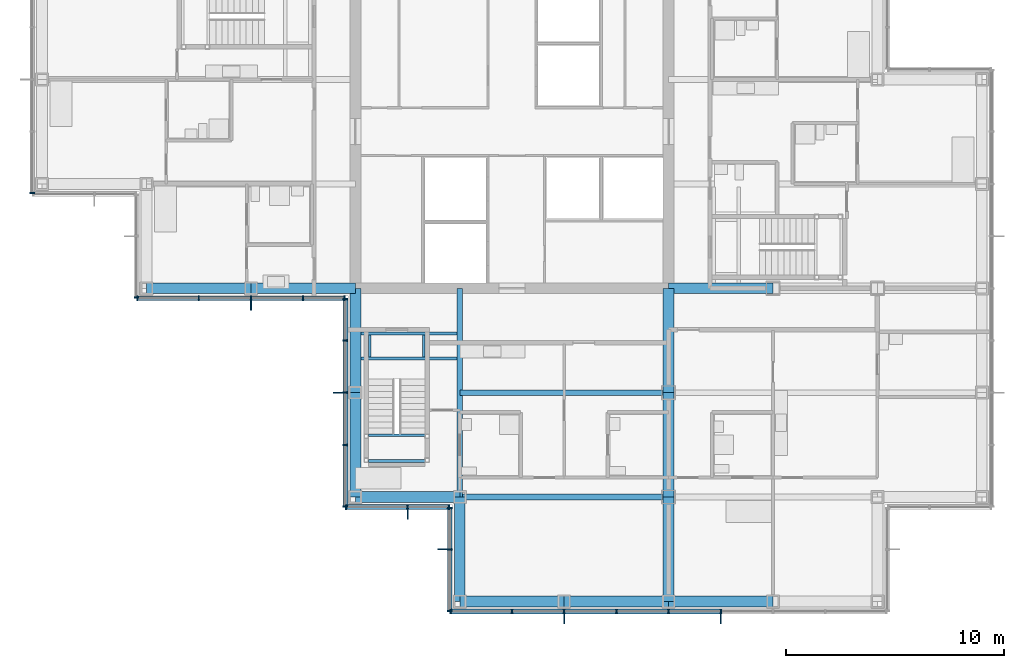
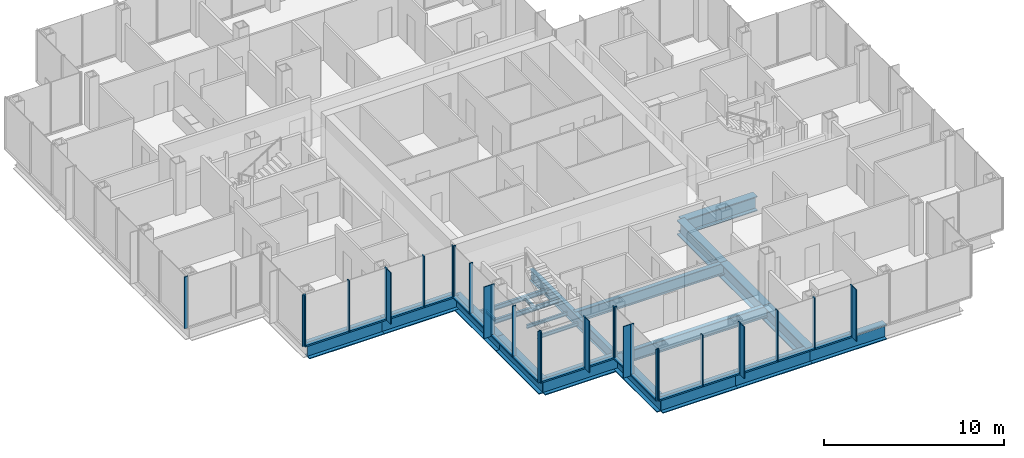
# One storey, part 6 of 19: 47 members, 22 beams, 7 elements without a shape of their own.
"""IFC4 building model written with IfcOpenShell, lengths in metres."""

from ifc_helpers import new_model, si_unit, direction, frame, origin, origin_2d, place, context, subcontext, project, spatial, rectangle, i_section, extrude, material, material_profile, profile_set, type_object, element, aggregate, save


model = new_model("IFC4")

# Units and contexts
model_context = context("Model", 3, precision=1e-05, world=origin(), true_north=direction((0.0, 1.0)))
body_context = subcontext(model_context, "Body", "Model", "MODEL_VIEW")
ifc_project = project(units=[si_unit("LENGTHUNIT", "METRE"), si_unit("AREAUNIT", "SQUARE_METRE"), si_unit("VOLUMEUNIT", "CUBIC_METRE"), si_unit("PLANEANGLEUNIT", "RADIAN"), si_unit("MASSUNIT", "GRAM", prefix="KILO")], contexts=[model_context])

# Site, building, storey
site_placement = place(None, origin())
site = spatial("IfcSite", under=ifc_project, at=site_placement, CompositionType="ELEMENT")
building_placement = place(site_placement, origin())
building = spatial("IfcBuilding", under=site, at=building_placement, Name="Kvirike Care Tower", CompositionType="ELEMENT")
storey_placement = place(building_placement, frame((0.0, 0.0, 129.5)))
storey = spatial("IfcBuildingStorey", under=building, at=storey_placement, Name="L35", CompositionType="ELEMENT", Elevation=129.5)

# Curtain wall, member
ifc_material_1 = material(Name="Anodised aluminium stick system", Category="aluminium")
curtain_wall_type = type_object("IfcCurtainWallType", Name="CW-B STICK CURTAIN WALL", PredefinedType="NOTDEFINED", material=ifc_material_1)
curtain_wall_1_placement = place(storey_placement, origin())
curtain_wall_1 = element("IfcCurtainWall", 1, at=curtain_wall_1_placement, inside=storey, type_object=curtain_wall_type, Name="Curtain wall L35 face 14", PredefinedType="NOTDEFINED")
ifc_material_2 = material(Name="Bronze anodised aluminium fin", Category="aluminium")
ifc_material_profile_1 = material_profile(ifc_material_2, rectangle(XDim=0.050048828125, YDim=0.449951171875, at=origin_2d()), Name="BRONZE FIN 450")
ifc_profile_set_1 = profile_set([ifc_material_profile_1], Name="Bronze anodised aluminium fin")
member_type_1 = type_object("IfcMemberType", Name="BRONZE FIN 450", PredefinedType="USERDEFINED", material=ifc_profile_set_1)
member_1_placement = place(storey_placement, frame((9.60009765625, 28.0048828125, 0.0), z_axis=(0.0, 0.0, 1.0), x_axis=(1.0, 0.0, 0.0)))
member_1 = element("IfcMember", 2, at=member_1_placement, type_object=member_type_1, Name="Bronze fin L35 face 14.3", ObjectType="FIN", PredefinedType="USERDEFINED", context=body_context, shape_type="SweptSolid", body=[
    extrude(rectangle(XDim=0.050048828125, YDim=0.449951171875, at=origin_2d()), origin(), (0.0, 0.0, 1.0), 3.5),
])

curtain_wall_2_placement = place(storey_placement, origin())
curtain_wall_2 = element("IfcCurtainWall", 3, at=curtain_wall_2_placement, inside=storey, type_object=curtain_wall_type, Name="Curtain wall L35 face 15", PredefinedType="NOTDEFINED")
member_2_placement = place(storey_placement, frame((13.60498046875, 24.0, 0.0), z_axis=(0.0, 0.0, 1.0), x_axis=(0.0, -1.0, 0.0)))
member_2 = element("IfcMember", 4, at=member_2_placement, type_object=member_type_1, Name="Bronze fin L35 face 15.3", ObjectType="FIN", PredefinedType="USERDEFINED", context=body_context, shape_type="SweptSolid", body=[
    extrude(rectangle(XDim=0.050048828125, YDim=0.449951171875, at=origin_2d()), origin(), (0.0, 0.0, 1.0), 3.5),
])

curtain_wall_3_placement = place(storey_placement, origin())
curtain_wall_3 = element("IfcCurtainWall", 5, at=curtain_wall_3_placement, inside=storey, type_object=curtain_wall_type, Name="Curtain wall L35 face 16", PredefinedType="NOTDEFINED")
member_3_placement = place(storey_placement, frame((16.800048828125, 18.405029296875, 0.0), z_axis=(0.0, 0.0, 1.0), x_axis=(1.0, 0.0, 0.0)))
member_3 = element("IfcMember", 6, at=member_3_placement, type_object=member_type_1, Name="Bronze fin L35 face 16.2", ObjectType="FIN", PredefinedType="USERDEFINED", context=body_context, shape_type="SweptSolid", body=[
    extrude(rectangle(XDim=0.050048828125, YDim=0.449951171875, at=origin_2d()), origin(), (0.0, 0.0, 1.0), 3.5),
])

curtain_wall_4_placement = place(storey_placement, origin())
curtain_wall_4 = element("IfcCurtainWall", 7, at=curtain_wall_4_placement, inside=storey, type_object=curtain_wall_type, Name="Curtain wall L35 face 17", PredefinedType="NOTDEFINED")
member_4_placement = place(storey_placement, frame((18.405029296875, 16.800048828125, 0.0), z_axis=(0.0, 0.0, 1.0), x_axis=(0.0, -1.0, 0.0)))
member_4 = element("IfcMember", 8, at=member_4_placement, type_object=member_type_1, Name="Bronze fin L35 face 17.2", ObjectType="FIN", PredefinedType="USERDEFINED", context=body_context, shape_type="SweptSolid", body=[
    extrude(rectangle(XDim=0.050048828125, YDim=0.449951171875, at=origin_2d()), origin(), (0.0, 0.0, 1.0), 3.5),
])

# Curtain wall, members
curtain_wall_5_placement = place(storey_placement, origin())
curtain_wall_5 = element("IfcCurtainWall", 9, at=curtain_wall_5_placement, inside=storey, type_object=curtain_wall_type, Name="Curtain wall L35 face 18", PredefinedType="NOTDEFINED")
member_5_placement = place(storey_placement, frame((24.0, 13.60498046875, 0.0), z_axis=(0.0, 0.0, 1.0), x_axis=(1.0, 0.0, 0.0)))
member_5 = element("IfcMember", 10, at=member_5_placement, type_object=member_type_1, Name="Bronze fin L35 face 18.3", ObjectType="FIN", PredefinedType="USERDEFINED", context=body_context, shape_type="SweptSolid", body=[
    extrude(rectangle(XDim=0.050048828125, YDim=0.449951171875, at=origin_2d()), origin(), (0.0, 0.0, 1.0), 3.5),
])
member_6_placement = place(storey_placement, frame((31.199951171875, 13.60498046875, 0.0), z_axis=(0.0, 0.0, 1.0), x_axis=(1.0, 0.0, 0.0)))
member_6 = element("IfcMember", 11, at=member_6_placement, type_object=member_type_1, Name="Bronze fin L35 face 18.6", ObjectType="FIN", PredefinedType="USERDEFINED", context=body_context, shape_type="SweptSolid", body=[
    extrude(rectangle(XDim=0.050048828125, YDim=0.449951171875, at=origin_2d()), origin(), (0.0, 0.0, 1.0), 3.5),
])

# Curtain wall, member
curtain_wall_6_placement = place(storey_placement, origin())
curtain_wall_6 = element("IfcCurtainWall", 12, at=curtain_wall_6_placement, inside=storey, type_object=curtain_wall_type, Name="Curtain wall L35 face 11", PredefinedType="NOTDEFINED")
ifc_material_3 = material(Name="Bronze anodised aluminium mullion", Category="aluminium")
ifc_material_profile_2 = material_profile(ifc_material_3, rectangle(XDim=0.06494140625, YDim=0.219970703125, at=origin_2d()), Name="CW-B MULLION 65x220")
ifc_profile_set_2 = profile_set([ifc_material_profile_2], Name="Bronze anodised aluminium mullion")
member_type_2 = type_object("IfcMemberType", Name="CW-B MULLION 65x220", PredefinedType="MULLION", material=ifc_profile_set_2)
member_7_placement = place(storey_placement, frame((-0.4599609375, 33.172607421875, 0.0), z_axis=(0.0, 0.0, 1.0), x_axis=(0.0, -1.0, 0.0)))
member_7 = element("IfcMember", 13, at=member_7_placement, type_object=member_type_2, Name="CW-B mullion L35 face 11.9", PredefinedType="MULLION", context=body_context, shape_type="SweptSolid", body=[
    extrude(rectangle(XDim=0.06494140625, YDim=0.219970703125, at=origin_2d()), origin(), (0.0, 0.0, 1.0), 3.5),
])
aggregate(curtain_wall_6, [member_7])

curtain_wall_7_placement = place(storey_placement, origin())
curtain_wall_7 = element("IfcCurtainWall", 14, at=curtain_wall_7_placement, inside=storey, type_object=curtain_wall_type, Name="Curtain wall L35 face 13", PredefinedType="NOTDEFINED")
member_8_placement = place(storey_placement, frame((4.340087890625, 28.37255859375, 0.0), z_axis=(0.0, 0.0, 1.0), x_axis=(0.0, -1.0, 0.0)))
member_8 = element("IfcMember", 15, at=member_8_placement, type_object=member_type_2, Name="CW-B mullion L35 face 13.3", PredefinedType="MULLION", context=body_context, shape_type="SweptSolid", body=[
    extrude(rectangle(XDim=0.06494140625, YDim=0.219970703125, at=origin_2d()), origin(), (0.0, 0.0, 1.0), 3.5),
])
aggregate(curtain_wall_7, [member_8])

# Member
member_9_placement = place(storey_placement, frame((4.37255859375, 28.340087890625, 0.0), z_axis=(0.0, 0.0, 1.0), x_axis=(1.0, 0.0, 0.0)))
member_9 = element("IfcMember", 16, at=member_9_placement, type_object=member_type_2, Name="CW-B mullion L35 face 14.1", PredefinedType="MULLION", context=body_context, shape_type="SweptSolid", body=[
    extrude(rectangle(XDim=0.06494140625, YDim=0.219970703125, at=origin_2d()), origin(), (0.0, 0.0, 1.0), 3.5),
])

member_10_placement = place(storey_placement, frame((7.199951171875, 28.340087890625, 0.0), z_axis=(0.0, 0.0, 1.0), x_axis=(1.0, 0.0, 0.0)))
member_10 = element("IfcMember", 17, at=member_10_placement, type_object=member_type_2, Name="CW-B mullion L35 face 14.2", PredefinedType="MULLION", context=body_context, shape_type="SweptSolid", body=[
    extrude(rectangle(XDim=0.06494140625, YDim=0.219970703125, at=origin_2d()), origin(), (0.0, 0.0, 1.0), 3.5),
])

member_11_placement = place(storey_placement, frame((9.60009765625, 28.340087890625, 0.0), z_axis=(0.0, 0.0, 1.0), x_axis=(1.0, 0.0, 0.0)))
member_11 = element("IfcMember", 18, at=member_11_placement, type_object=member_type_2, Name="CW-B mullion L35 face 14.3", PredefinedType="MULLION", context=body_context, shape_type="SweptSolid", body=[
    extrude(rectangle(XDim=0.06494140625, YDim=0.219970703125, at=origin_2d()), origin(), (0.0, 0.0, 1.0), 3.5),
])

member_12_placement = place(storey_placement, frame((12.0, 28.340087890625, 0.0), z_axis=(0.0, 0.0, 1.0), x_axis=(1.0, 0.0, 0.0)))
member_12 = element("IfcMember", 19, at=member_12_placement, type_object=member_type_2, Name="CW-B mullion L35 face 14.4", PredefinedType="MULLION", context=body_context, shape_type="SweptSolid", body=[
    extrude(rectangle(XDim=0.06494140625, YDim=0.219970703125, at=origin_2d()), origin(), (0.0, 0.0, 1.0), 3.5),
])

member_13_placement = place(storey_placement, frame((13.907470703125, 28.340087890625, 0.0), z_axis=(0.0, 0.0, 1.0), x_axis=(1.0, 0.0, 0.0)))
member_13 = element("IfcMember", 20, at=member_13_placement, type_object=member_type_2, Name="CW-B mullion L35 face 14.5", PredefinedType="MULLION", context=body_context, shape_type="SweptSolid", body=[
    extrude(rectangle(XDim=0.06494140625, YDim=0.219970703125, at=origin_2d()), origin(), (0.0, 0.0, 1.0), 3.5),
])

member_14_placement = place(storey_placement, frame((13.93994140625, 28.3076171875, 0.0), z_axis=(0.0, 0.0, 1.0), x_axis=(0.0, -1.0, 0.0)))
member_14 = element("IfcMember", 21, at=member_14_placement, type_object=member_type_2, Name="CW-B mullion L35 face 15.1", PredefinedType="MULLION", context=body_context, shape_type="SweptSolid", body=[
    extrude(rectangle(XDim=0.06494140625, YDim=0.219970703125, at=origin_2d()), origin(), (0.0, 0.0, 1.0), 3.5),
])

member_15_placement = place(storey_placement, frame((13.93994140625, 26.39990234375, 0.0), z_axis=(0.0, 0.0, 1.0), x_axis=(0.0, -1.0, 0.0)))
member_15 = element("IfcMember", 22, at=member_15_placement, type_object=member_type_2, Name="CW-B mullion L35 face 15.2", PredefinedType="MULLION", context=body_context, shape_type="SweptSolid", body=[
    extrude(rectangle(XDim=0.06494140625, YDim=0.219970703125, at=origin_2d()), origin(), (0.0, 0.0, 1.0), 3.5),
])

member_16_placement = place(storey_placement, frame((13.93994140625, 24.0, 0.0), z_axis=(0.0, 0.0, 1.0), x_axis=(0.0, -1.0, 0.0)))
member_16 = element("IfcMember", 23, at=member_16_placement, type_object=member_type_2, Name="CW-B mullion L35 face 15.3", PredefinedType="MULLION", context=body_context, shape_type="SweptSolid", body=[
    extrude(rectangle(XDim=0.06494140625, YDim=0.219970703125, at=origin_2d()), origin(), (0.0, 0.0, 1.0), 3.5),
])

member_17_placement = place(storey_placement, frame((13.93994140625, 21.60009765625, 0.0), z_axis=(0.0, 0.0, 1.0), x_axis=(0.0, -1.0, 0.0)))
member_17 = element("IfcMember", 24, at=member_17_placement, type_object=member_type_2, Name="CW-B mullion L35 face 15.4", PredefinedType="MULLION", context=body_context, shape_type="SweptSolid", body=[
    extrude(rectangle(XDim=0.06494140625, YDim=0.219970703125, at=origin_2d()), origin(), (0.0, 0.0, 1.0), 3.5),
])

member_18_placement = place(storey_placement, frame((13.93994140625, 18.7724609375, 0.0), z_axis=(0.0, 0.0, 1.0), x_axis=(0.0, -1.0, 0.0)))
member_18 = element("IfcMember", 25, at=member_18_placement, type_object=member_type_2, Name="CW-B mullion L35 face 15.5", PredefinedType="MULLION", context=body_context, shape_type="SweptSolid", body=[
    extrude(rectangle(XDim=0.06494140625, YDim=0.219970703125, at=origin_2d()), origin(), (0.0, 0.0, 1.0), 3.5),
])

member_19_placement = place(storey_placement, frame((13.972412109375, 18.739990234375, 0.0), z_axis=(0.0, 0.0, 1.0), x_axis=(1.0, 0.0, 0.0)))
member_19 = element("IfcMember", 26, at=member_19_placement, type_object=member_type_2, Name="CW-B mullion L35 face 16.1", PredefinedType="MULLION", context=body_context, shape_type="SweptSolid", body=[
    extrude(rectangle(XDim=0.06494140625, YDim=0.219970703125, at=origin_2d()), origin(), (0.0, 0.0, 1.0), 3.5),
])

member_20_placement = place(storey_placement, frame((16.800048828125, 18.739990234375, 0.0), z_axis=(0.0, 0.0, 1.0), x_axis=(1.0, 0.0, 0.0)))
member_20 = element("IfcMember", 27, at=member_20_placement, type_object=member_type_2, Name="CW-B mullion L35 face 16.2", PredefinedType="MULLION", context=body_context, shape_type="SweptSolid", body=[
    extrude(rectangle(XDim=0.06494140625, YDim=0.219970703125, at=origin_2d()), origin(), (0.0, 0.0, 1.0), 3.5),
])

member_21_placement = place(storey_placement, frame((18.70751953125, 18.739990234375, 0.0), z_axis=(0.0, 0.0, 1.0), x_axis=(1.0, 0.0, 0.0)))
member_21 = element("IfcMember", 28, at=member_21_placement, type_object=member_type_2, Name="CW-B mullion L35 face 16.3", PredefinedType="MULLION", context=body_context, shape_type="SweptSolid", body=[
    extrude(rectangle(XDim=0.06494140625, YDim=0.219970703125, at=origin_2d()), origin(), (0.0, 0.0, 1.0), 3.5),
])

member_22_placement = place(storey_placement, frame((18.739990234375, 18.70751953125, 0.0), z_axis=(0.0, 0.0, 1.0), x_axis=(0.0, -1.0, 0.0)))
member_22 = element("IfcMember", 29, at=member_22_placement, type_object=member_type_2, Name="CW-B mullion L35 face 17.1", PredefinedType="MULLION", context=body_context, shape_type="SweptSolid", body=[
    extrude(rectangle(XDim=0.06494140625, YDim=0.219970703125, at=origin_2d()), origin(), (0.0, 0.0, 1.0), 3.5),
])

member_23_placement = place(storey_placement, frame((18.739990234375, 16.800048828125, 0.0), z_axis=(0.0, 0.0, 1.0), x_axis=(0.0, -1.0, 0.0)))
member_23 = element("IfcMember", 30, at=member_23_placement, type_object=member_type_2, Name="CW-B mullion L35 face 17.2", PredefinedType="MULLION", context=body_context, shape_type="SweptSolid", body=[
    extrude(rectangle(XDim=0.06494140625, YDim=0.219970703125, at=origin_2d()), origin(), (0.0, 0.0, 1.0), 3.5),
])

member_24_placement = place(storey_placement, frame((18.739990234375, 13.972412109375, 0.0), z_axis=(0.0, 0.0, 1.0), x_axis=(0.0, -1.0, 0.0)))
member_24 = element("IfcMember", 31, at=member_24_placement, type_object=member_type_2, Name="CW-B mullion L35 face 17.3", PredefinedType="MULLION", context=body_context, shape_type="SweptSolid", body=[
    extrude(rectangle(XDim=0.06494140625, YDim=0.219970703125, at=origin_2d()), origin(), (0.0, 0.0, 1.0), 3.5),
])

member_25_placement = place(storey_placement, frame((18.7724609375, 13.93994140625, 0.0), z_axis=(0.0, 0.0, 1.0), x_axis=(1.0, 0.0, 0.0)))
member_25 = element("IfcMember", 32, at=member_25_placement, type_object=member_type_2, Name="CW-B mullion L35 face 18.1", PredefinedType="MULLION", context=body_context, shape_type="SweptSolid", body=[
    extrude(rectangle(XDim=0.06494140625, YDim=0.219970703125, at=origin_2d()), origin(), (0.0, 0.0, 1.0), 3.5),
])

member_26_placement = place(storey_placement, frame((21.60009765625, 13.93994140625, 0.0), z_axis=(0.0, 0.0, 1.0), x_axis=(1.0, 0.0, 0.0)))
member_26 = element("IfcMember", 33, at=member_26_placement, type_object=member_type_2, Name="CW-B mullion L35 face 18.2", PredefinedType="MULLION", context=body_context, shape_type="SweptSolid", body=[
    extrude(rectangle(XDim=0.06494140625, YDim=0.219970703125, at=origin_2d()), origin(), (0.0, 0.0, 1.0), 3.5),
])

member_27_placement = place(storey_placement, frame((24.0, 13.93994140625, 0.0), z_axis=(0.0, 0.0, 1.0), x_axis=(1.0, 0.0, 0.0)))
member_27 = element("IfcMember", 34, at=member_27_placement, type_object=member_type_2, Name="CW-B mullion L35 face 18.3", PredefinedType="MULLION", context=body_context, shape_type="SweptSolid", body=[
    extrude(rectangle(XDim=0.06494140625, YDim=0.219970703125, at=origin_2d()), origin(), (0.0, 0.0, 1.0), 3.5),
])

member_28_placement = place(storey_placement, frame((26.39990234375, 13.93994140625, 0.0), z_axis=(0.0, 0.0, 1.0), x_axis=(1.0, 0.0, 0.0)))
member_28 = element("IfcMember", 35, at=member_28_placement, type_object=member_type_2, Name="CW-B mullion L35 face 18.4", PredefinedType="MULLION", context=body_context, shape_type="SweptSolid", body=[
    extrude(rectangle(XDim=0.06494140625, YDim=0.219970703125, at=origin_2d()), origin(), (0.0, 0.0, 1.0), 3.5),
])

member_29_placement = place(storey_placement, frame((28.800048828125, 13.93994140625, 0.0), z_axis=(0.0, 0.0, 1.0), x_axis=(1.0, 0.0, 0.0)))
member_29 = element("IfcMember", 36, at=member_29_placement, type_object=member_type_2, Name="CW-B mullion L35 face 18.5", PredefinedType="MULLION", context=body_context, shape_type="SweptSolid", body=[
    extrude(rectangle(XDim=0.06494140625, YDim=0.219970703125, at=origin_2d()), origin(), (0.0, 0.0, 1.0), 3.5),
])

member_30_placement = place(storey_placement, frame((31.199951171875, 13.93994140625, 0.0), z_axis=(0.0, 0.0, 1.0), x_axis=(1.0, 0.0, 0.0)))
member_30 = element("IfcMember", 37, at=member_30_placement, type_object=member_type_2, Name="CW-B mullion L35 face 18.6", PredefinedType="MULLION", context=body_context, shape_type="SweptSolid", body=[
    extrude(rectangle(XDim=0.06494140625, YDim=0.219970703125, at=origin_2d()), origin(), (0.0, 0.0, 1.0), 3.5),
])

ifc_material_4 = material(Name="Bronze anodised aluminium transom", Category="aluminium")
ifc_material_profile_3 = material_profile(ifc_material_4, rectangle(XDim=0.219970703125, YDim=0.10009765625, at=origin_2d()), Name="CW-B TRANSOM 220x100")
ifc_profile_set_3 = profile_set([ifc_material_profile_3], Name="Bronze anodised aluminium transom")
member_type_3 = type_object("IfcMemberType", Name="CW-B TRANSOM 220x100", PredefinedType="USERDEFINED", material=ifc_profile_set_3)
member_31_placement = place(storey_placement, frame((4.405029296875, 28.340087890625, 0.050048828125), z_axis=(1.0, 0.0, 0.0), x_axis=(0.0, 1.0, 0.0)))
member_31 = element("IfcMember", 38, at=member_31_placement, type_object=member_type_3, Name="CW-B sill transom L35 face 14.1", ObjectType="TRANSOM", PredefinedType="USERDEFINED", context=body_context, shape_type="SweptSolid", body=[
    extrude(rectangle(XDim=0.219970703125, YDim=0.10009765625, at=origin_2d()), origin(), (0.0, 0.0, 1.0), 2.762451171875),
])

member_32_placement = place(storey_placement, frame((7.232421875, 28.340087890625, 0.050048828125), z_axis=(1.0, 0.0, 0.0), x_axis=(0.0, 1.0, 0.0)))
member_32 = element("IfcMember", 39, at=member_32_placement, type_object=member_type_3, Name="CW-B sill transom L35 face 14.2", ObjectType="TRANSOM", PredefinedType="USERDEFINED", context=body_context, shape_type="SweptSolid", body=[
    extrude(rectangle(XDim=0.219970703125, YDim=0.10009765625, at=origin_2d()), origin(), (0.0, 0.0, 1.0), 2.3349609375),
])

member_33_placement = place(storey_placement, frame((9.632568359375, 28.340087890625, 0.050048828125), z_axis=(1.0, 0.0, 0.0), x_axis=(0.0, 1.0, 0.0)))
member_33 = element("IfcMember", 40, at=member_33_placement, type_object=member_type_3, Name="CW-B sill transom L35 face 14.3", ObjectType="TRANSOM", PredefinedType="USERDEFINED", context=body_context, shape_type="SweptSolid", body=[
    extrude(rectangle(XDim=0.219970703125, YDim=0.10009765625, at=origin_2d()), origin(), (0.0, 0.0, 1.0), 2.3349609375),
])

member_34_placement = place(storey_placement, frame((12.032470703125, 28.340087890625, 0.050048828125), z_axis=(1.0, 0.0, 0.0), x_axis=(0.0, 1.0, 0.0)))
member_34 = element("IfcMember", 41, at=member_34_placement, type_object=member_type_3, Name="CW-B sill transom L35 face 14.4", ObjectType="TRANSOM", PredefinedType="USERDEFINED", context=body_context, shape_type="SweptSolid", body=[
    extrude(rectangle(XDim=0.219970703125, YDim=0.10009765625, at=origin_2d()), origin(), (0.0, 0.0, 1.0), 1.842529296875),
])

aggregate(curtain_wall_1, [member_9, member_10, member_11, member_1, member_12, member_13, member_31, member_32, member_33, member_34])

member_35_placement = place(storey_placement, frame((13.93994140625, 28.27490234375, 0.050048828125), z_axis=(0.0, -1.0, 0.0), x_axis=(1.0, 0.0, 0.0)))
member_35 = element("IfcMember", 42, at=member_35_placement, type_object=member_type_3, Name="CW-B sill transom L35 face 15.1", ObjectType="TRANSOM", PredefinedType="USERDEFINED", context=body_context, shape_type="SweptSolid", body=[
    extrude(rectangle(XDim=0.219970703125, YDim=0.10009765625, at=origin_2d()), origin(), (0.0, 0.0, 1.0), 1.84228515625),
])

member_36_placement = place(storey_placement, frame((13.93994140625, 26.367431640625, 0.050048828125), z_axis=(0.0, -1.0, 0.0), x_axis=(1.0, 0.0, 0.0)))
member_36 = element("IfcMember", 43, at=member_36_placement, type_object=member_type_3, Name="CW-B sill transom L35 face 15.2", ObjectType="TRANSOM", PredefinedType="USERDEFINED", context=body_context, shape_type="SweptSolid", body=[
    extrude(rectangle(XDim=0.219970703125, YDim=0.10009765625, at=origin_2d()), origin(), (0.0, 0.0, 1.0), 2.3349609375),
])

member_37_placement = place(storey_placement, frame((13.93994140625, 23.967529296875, 0.050048828125), z_axis=(0.0, -1.0, 0.0), x_axis=(1.0, 0.0, 0.0)))
member_37 = element("IfcMember", 44, at=member_37_placement, type_object=member_type_3, Name="CW-B sill transom L35 face 15.3", ObjectType="TRANSOM", PredefinedType="USERDEFINED", context=body_context, shape_type="SweptSolid", body=[
    extrude(rectangle(XDim=0.219970703125, YDim=0.10009765625, at=origin_2d()), origin(), (0.0, 0.0, 1.0), 2.3349609375),
])

member_38_placement = place(storey_placement, frame((13.93994140625, 21.5673828125, 0.050048828125), z_axis=(0.0, -1.0, 0.0), x_axis=(1.0, 0.0, 0.0)))
member_38 = element("IfcMember", 45, at=member_38_placement, type_object=member_type_3, Name="CW-B sill transom L35 face 15.4", ObjectType="TRANSOM", PredefinedType="USERDEFINED", context=body_context, shape_type="SweptSolid", body=[
    extrude(rectangle(XDim=0.219970703125, YDim=0.10009765625, at=origin_2d()), origin(), (0.0, 0.0, 1.0), 2.762451171875),
])

aggregate(curtain_wall_2, [member_14, member_15, member_16, member_2, member_17, member_18, member_35, member_36, member_37, member_38])

member_39_placement = place(storey_placement, frame((14.0048828125, 18.739990234375, 0.050048828125), z_axis=(1.0, 0.0, 0.0), x_axis=(0.0, 1.0, 0.0)))
member_39 = element("IfcMember", 46, at=member_39_placement, type_object=member_type_3, Name="CW-B sill transom L35 face 16.1", ObjectType="TRANSOM", PredefinedType="USERDEFINED", context=body_context, shape_type="SweptSolid", body=[
    extrude(rectangle(XDim=0.219970703125, YDim=0.10009765625, at=origin_2d()), origin(), (0.0, 0.0, 1.0), 2.7626953125),
])

member_40_placement = place(storey_placement, frame((16.83251953125, 18.739990234375, 0.050048828125), z_axis=(1.0, 0.0, 0.0), x_axis=(0.0, 1.0, 0.0)))
member_40 = element("IfcMember", 47, at=member_40_placement, type_object=member_type_3, Name="CW-B sill transom L35 face 16.2", ObjectType="TRANSOM", PredefinedType="USERDEFINED", context=body_context, shape_type="SweptSolid", body=[
    extrude(rectangle(XDim=0.219970703125, YDim=0.10009765625, at=origin_2d()), origin(), (0.0, 0.0, 1.0), 1.842529296875),
])

aggregate(curtain_wall_3, [member_19, member_20, member_3, member_21, member_39, member_40])

member_41_placement = place(storey_placement, frame((18.739990234375, 18.675048828125, 0.050048828125), z_axis=(0.0, -1.0, 0.0), x_axis=(1.0, 0.0, 0.0)))
member_41 = element("IfcMember", 48, at=member_41_placement, type_object=member_type_3, Name="CW-B sill transom L35 face 17.1", ObjectType="TRANSOM", PredefinedType="USERDEFINED", context=body_context, shape_type="SweptSolid", body=[
    extrude(rectangle(XDim=0.219970703125, YDim=0.10009765625, at=origin_2d()), origin(), (0.0, 0.0, 1.0), 1.842529296875),
])

member_42_placement = place(storey_placement, frame((18.739990234375, 16.767578125, 0.050048828125), z_axis=(0.0, -1.0, 0.0), x_axis=(1.0, 0.0, 0.0)))
member_42 = element("IfcMember", 49, at=member_42_placement, type_object=member_type_3, Name="CW-B sill transom L35 face 17.2", ObjectType="TRANSOM", PredefinedType="USERDEFINED", context=body_context, shape_type="SweptSolid", body=[
    extrude(rectangle(XDim=0.219970703125, YDim=0.10009765625, at=origin_2d()), origin(), (0.0, 0.0, 1.0), 2.7626953125),
])

aggregate(curtain_wall_4, [member_22, member_23, member_4, member_24, member_41, member_42])

member_43_placement = place(storey_placement, frame((18.804931640625, 13.93994140625, 0.050048828125), z_axis=(1.0, 0.0, 0.0), x_axis=(0.0, 1.0, 0.0)))
member_43 = element("IfcMember", 50, at=member_43_placement, type_object=member_type_3, Name="CW-B sill transom L35 face 18.1", ObjectType="TRANSOM", PredefinedType="USERDEFINED", context=body_context, shape_type="SweptSolid", body=[
    extrude(rectangle(XDim=0.219970703125, YDim=0.10009765625, at=origin_2d()), origin(), (0.0, 0.0, 1.0), 2.762451171875),
])

member_44_placement = place(storey_placement, frame((21.632568359375, 13.93994140625, 0.050048828125), z_axis=(1.0, 0.0, 0.0), x_axis=(0.0, 1.0, 0.0)))
member_44 = element("IfcMember", 51, at=member_44_placement, type_object=member_type_3, Name="CW-B sill transom L35 face 18.2", ObjectType="TRANSOM", PredefinedType="USERDEFINED", context=body_context, shape_type="SweptSolid", body=[
    extrude(rectangle(XDim=0.219970703125, YDim=0.10009765625, at=origin_2d()), origin(), (0.0, 0.0, 1.0), 2.3349609375),
])

member_45_placement = place(storey_placement, frame((24.032470703125, 13.93994140625, 0.050048828125), z_axis=(1.0, 0.0, 0.0), x_axis=(0.0, 1.0, 0.0)))
member_45 = element("IfcMember", 52, at=member_45_placement, type_object=member_type_3, Name="CW-B sill transom L35 face 18.3", ObjectType="TRANSOM", PredefinedType="USERDEFINED", context=body_context, shape_type="SweptSolid", body=[
    extrude(rectangle(XDim=0.219970703125, YDim=0.10009765625, at=origin_2d()), origin(), (0.0, 0.0, 1.0), 2.3349609375),
])

member_46_placement = place(storey_placement, frame((26.4326171875, 13.93994140625, 0.050048828125), z_axis=(1.0, 0.0, 0.0), x_axis=(0.0, 1.0, 0.0)))
member_46 = element("IfcMember", 53, at=member_46_placement, type_object=member_type_3, Name="CW-B sill transom L35 face 18.4", ObjectType="TRANSOM", PredefinedType="USERDEFINED", context=body_context, shape_type="SweptSolid", body=[
    extrude(rectangle(XDim=0.219970703125, YDim=0.10009765625, at=origin_2d()), origin(), (0.0, 0.0, 1.0), 2.3349609375),
])

member_47_placement = place(storey_placement, frame((28.83251953125, 13.93994140625, 0.050048828125), z_axis=(1.0, 0.0, 0.0), x_axis=(0.0, 1.0, 0.0)))
member_47 = element("IfcMember", 54, at=member_47_placement, type_object=member_type_3, Name="CW-B sill transom L35 face 18.5", ObjectType="TRANSOM", PredefinedType="USERDEFINED", context=body_context, shape_type="SweptSolid", body=[
    extrude(rectangle(XDim=0.219970703125, YDim=0.10009765625, at=origin_2d()), origin(), (0.0, 0.0, 1.0), 2.3349609375),
])

aggregate(curtain_wall_5, [member_25, member_26, member_27, member_5, member_28, member_29, member_30, member_6, member_43, member_44, member_45, member_46, member_47])

# Beams
ifc_material_5 = material(Name="Steel S355", Category="steel")
ifc_material_profile_4 = material_profile(ifc_material_5, i_section(OverallWidth=0.26806640625, OverallDepth=0.77001953125, WebThickness=0.015625, FlangeThickness=0.025390625, FilletRadius=0.01708984375, at=origin_2d()), Name="IPE 750x196")
ifc_profile_set_4 = profile_set([ifc_material_profile_4], Name="Steel S355")
beam_type_1 = type_object("IfcBeamType", Name="FLOOR BEAM IPE 750x196", PredefinedType="BEAM", material=ifc_profile_set_4)
for number, where, z_axis, x_axis, name in (
    (55, (19.199951171875, 19.199951171875, -0.554931640625), (1.0, 0.0, 0.0), (0.0, 1.0, 0.0), "Floor Beam E7-E9 L35"),
    (56, (19.199951171875, 24.0, -0.554931640625), (1.0, 0.0, 0.0), (0.0, 1.0, 0.0), "Floor Beam F7-F9 L35"),
    (57, (19.199951171875, 19.199951171875, -0.554931640625), (0.0, 1.0, 0.0), (-1.0, 0.0, 0.0), "Floor Beam E7-G7 L35"),
):
    element("IfcBeam", number, at=place(storey_placement, frame(where, z_axis=z_axis, x_axis=x_axis)), inside=storey, type_object=beam_type_1, Name=name, PredefinedType="BEAM", context=body_context, shape_type="SweptSolid", body=[
        extrude(i_section(OverallWidth=0.26806640625, OverallDepth=0.77001953125, WebThickness=0.015625, FlangeThickness=0.025390625, FilletRadius=0.01708984375, at=origin_2d()), origin(), (0.0, 0.0, 1.0), 9.60009765625),
    ])
ifc_material_6 = material(Name="Steel S355", Category="steel")
ifc_material_profile_5 = material_profile(ifc_material_6, i_section(OverallWidth=0.5, OverallDepth=1.0, WebThickness=0.030029296875, FlangeThickness=0.06005859375, at=origin_2d()), Name="PG 1000x500x30x60")
ifc_profile_set_5 = profile_set([ifc_material_profile_5], Name="Steel S355")
beam_type_2 = type_object("IfcBeamType", Name="FRAME BEAM PG 1000x500x30x60", PredefinedType="BEAM", material=ifc_profile_set_5)
for number, where, z_axis, x_axis, name in (
    (58, (28.800048828125, 28.800048828125, -0.669921875), (1.0, 0.0, 0.0), (0.0, 1.0, 0.0), "Frame Beam G9-G10 L35"),
    (59, (28.800048828125, 14.39990234375, -0.669921875), (0.0, 1.0, 0.0), (-1.0, 0.0, 0.0), "Frame Beam D9-E9 L35"),
    (60, (28.800048828125, 19.199951171875, -0.669921875), (0.0, 1.0, 0.0), (-1.0, 0.0, 0.0), "Frame Beam E9-F9 L35"),
    (61, (28.800048828125, 24.0, -0.669921875), (0.0, 1.0, 0.0), (-1.0, 0.0, 0.0), "Frame Beam F9-G9 L35"),
):
    element("IfcBeam", number, at=place(storey_placement, frame(where, z_axis=z_axis, x_axis=x_axis)), inside=storey, type_object=beam_type_2, Name=name, PredefinedType="BEAM", context=body_context, shape_type="SweptSolid", body=[
        extrude(i_section(OverallWidth=0.5, OverallDepth=1.0, WebThickness=0.030029296875, FlangeThickness=0.06005859375, at=origin_2d()), origin(), (0.0, 0.0, 1.0), 4.800048828125),
    ])
ifc_material_7 = material(Name="Steel S355", Category="steel")
ifc_material_profile_6 = material_profile(ifc_material_7, i_section(OverallWidth=0.5, OverallDepth=1.0, WebThickness=0.030029296875, FlangeThickness=0.06005859375, at=origin_2d()), Name="PG 1000x500x30x60")
ifc_profile_set_6 = profile_set([ifc_material_profile_6], Name="Steel S355")
beam_type_3 = type_object("IfcBeamType", Name="SPANDREL PG 1000x500x30x60", PredefinedType="SPANDREL", material=ifc_profile_set_6)
for number, where, z_axis, x_axis, name in (
    (62, (19.199951171875, 14.39990234375, -0.669921875), (1.0, 0.0, 0.0), (0.0, 1.0, 0.0), "Spandrel D7-D8 L35"),
    (63, (24.0, 14.39990234375, -0.669921875), (1.0, 0.0, 0.0), (0.0, 1.0, 0.0), "Spandrel D8-D9 L35"),
    (64, (28.800048828125, 14.39990234375, -0.669921875), (1.0, 0.0, 0.0), (0.0, 1.0, 0.0), "Spandrel D9-D10 L35"),
    (65, (14.39990234375, 19.199951171875, -0.669921875), (1.0, 0.0, 0.0), (0.0, 1.0, 0.0), "Spandrel E6-E7 L35"),
    (66, (4.800048828125, 28.800048828125, -0.669921875), (1.0, 0.0, 0.0), (0.0, 1.0, 0.0), "Spandrel G4-G5 L35"),
):
    element("IfcBeam", number, at=place(storey_placement, frame(where, z_axis=z_axis, x_axis=x_axis)), inside=storey, type_object=beam_type_3, Name=name, PredefinedType="SPANDREL", context=body_context, shape_type="SweptSolid", body=[
        extrude(i_section(OverallWidth=0.5, OverallDepth=1.0, WebThickness=0.030029296875, FlangeThickness=0.06005859375, at=origin_2d()), origin(), (0.0, 0.0, 1.0), 4.800048828125),
    ])
beam_placement = place(storey_placement, frame((9.60009765625, 28.800048828125, -0.669921875), z_axis=(1.0, 0.0, 0.0), x_axis=(0.0, 1.0, 0.0)))
element("IfcBeam", 67, at=beam_placement, inside=storey, type_object=beam_type_3, Name="Spandrel G5-G6 L35", PredefinedType="SPANDREL", context=body_context, shape_type="SweptSolid", body=[
    extrude(i_section(OverallWidth=0.5, OverallDepth=1.0, WebThickness=0.030029296875, FlangeThickness=0.06005859375, at=origin_2d()), origin(), (0.0, 0.0, 1.0), 4.7998046875),
])
for number, where, z_axis, x_axis, name in (
    (68, (14.39990234375, 19.199951171875, -0.669921875), (0.0, 1.0, 0.0), (-1.0, 0.0, 0.0), "Spandrel E6-F6 L35"),
    (69, (14.39990234375, 24.0, -0.669921875), (0.0, 1.0, 0.0), (-1.0, 0.0, 0.0), "Spandrel F6-G6 L35"),
    (70, (19.199951171875, 14.39990234375, -0.669921875), (0.0, 1.0, 0.0), (-1.0, 0.0, 0.0), "Spandrel D7-E7 L35"),
):
    element("IfcBeam", number, at=place(storey_placement, frame(where, z_axis=z_axis, x_axis=x_axis)), inside=storey, type_object=beam_type_3, Name=name, PredefinedType="SPANDREL", context=body_context, shape_type="SweptSolid", body=[
        extrude(i_section(OverallWidth=0.5, OverallDepth=1.0, WebThickness=0.030029296875, FlangeThickness=0.06005859375, at=origin_2d()), origin(), (0.0, 0.0, 1.0), 4.800048828125),
    ])
ifc_material_8 = material(Name="Steel S355", Category="steel")
ifc_material_profile_7 = material_profile(ifc_material_8, i_section(OverallWidth=0.1201171875, OverallDepth=0.239990234375, WebThickness=0.006103515625, FlangeThickness=0.009765625, FilletRadius=0.014892578125, at=origin_2d()), Name="IPE 240")
ifc_profile_set_7 = profile_set([ifc_material_profile_7], Name="Steel S355")
beam_type_4 = type_object("IfcBeamType", Name="STAIR LANDING BEAM IPE 240", PredefinedType="BEAM", material=ifc_profile_set_7)
for number, where, z_axis, x_axis, name in (
    (71, (15.0, 20.860107421875, 1.429931640625), (1.0, 0.0, 0.0), (0.0, 1.0, 0.0), "Stair 5 landing beam back L35"),
    (72, (15.0, 22.0400390625, 1.429931640625), (1.0, 0.0, 0.0), (0.0, 1.0, 0.0), "Stair 5 landing beam front L35"),
):
    element("IfcBeam", number, at=place(storey_placement, frame(where, z_axis=z_axis, x_axis=x_axis)), inside=storey, type_object=beam_type_4, Name=name, PredefinedType="BEAM", context=body_context, shape_type="SweptSolid", body=[
        extrude(i_section(OverallWidth=0.1201171875, OverallDepth=0.239990234375, WebThickness=0.006103515625, FlangeThickness=0.009765625, FilletRadius=0.014892578125, at=origin_2d()), origin(), (0.0, 0.0, 1.0), 2.60009765625),
    ])
for number, where, z_axis, x_axis, name in (
    (73, (15.06005859375, 25.64990234375, -0.320068359375), (0.0, 1.0, 0.0), (-1.0, 0.0, 0.0), "Stair 5 landing edge beam 1 L35"),
    (74, (17.5400390625, 25.64990234375, -0.320068359375), (0.0, 1.0, 0.0), (-1.0, 0.0, 0.0), "Stair 5 landing edge beam 2 L35"),
):
    element("IfcBeam", number, at=place(storey_placement, frame(where, z_axis=z_axis, x_axis=x_axis)), inside=storey, type_object=beam_type_4, Name=name, PredefinedType="BEAM", context=body_context, shape_type="SweptSolid", body=[
        extrude(i_section(OverallWidth=0.1201171875, OverallDepth=0.239990234375, WebThickness=0.006103515625, FlangeThickness=0.009765625, FilletRadius=0.014892578125, at=origin_2d()), origin(), (0.0, 0.0, 1.0), 1.0),
    ])
ifc_material_9 = material(Name="Steel S355", Category="steel")
ifc_material_profile_8 = material_profile(ifc_material_9, i_section(OverallWidth=0.14990234375, OverallDepth=0.300048828125, WebThickness=0.007080078125, FlangeThickness=0.0107421875, FilletRadius=0.014892578125, at=origin_2d()), Name="IPE 300")
ifc_profile_set_8 = profile_set([ifc_material_profile_8], Name="Steel S355")
beam_type_5 = type_object("IfcBeamType", Name="STAIR TRIMMER IPE 300", PredefinedType="BEAM", material=ifc_profile_set_8)
for number, where, z_axis, x_axis, name in (
    (75, (14.64990234375, 25.574951171875, -0.35009765625), (1.0, 0.0, 0.0), (0.0, 1.0, 0.0), "Stair 5 trimmer 1 L35"),
    (76, (14.64990234375, 26.72509765625, -0.35009765625), (1.0, 0.0, 0.0), (0.0, 1.0, 0.0), "Stair 5 trimmer 2 L35"),
):
    element("IfcBeam", number, at=place(storey_placement, frame(where, z_axis=z_axis, x_axis=x_axis)), inside=storey, type_object=beam_type_5, Name=name, PredefinedType="BEAM", context=body_context, shape_type="SweptSolid", body=[
        extrude(i_section(OverallWidth=0.14990234375, OverallDepth=0.300048828125, WebThickness=0.007080078125, FlangeThickness=0.0107421875, FilletRadius=0.014892578125, at=origin_2d()), origin(), (0.0, 0.0, 1.0), 4.416015625),
    ])

save(model, "model.ifc")
